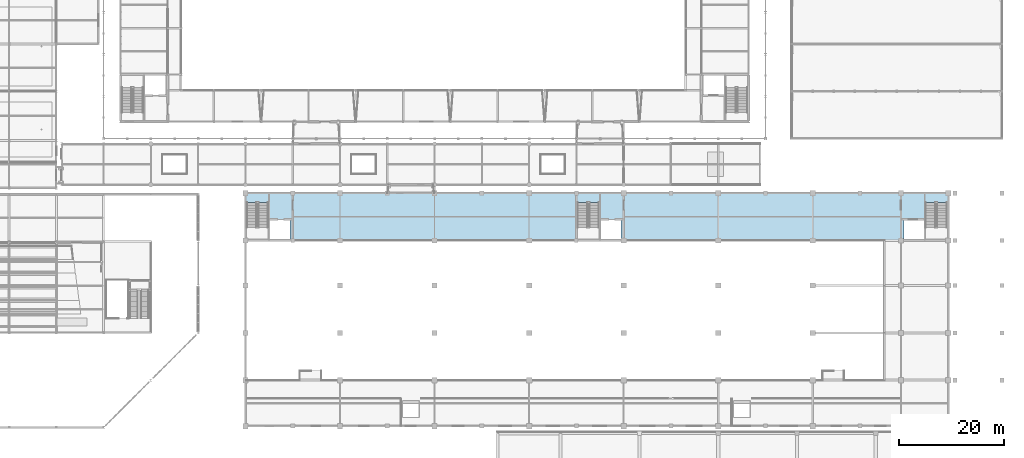
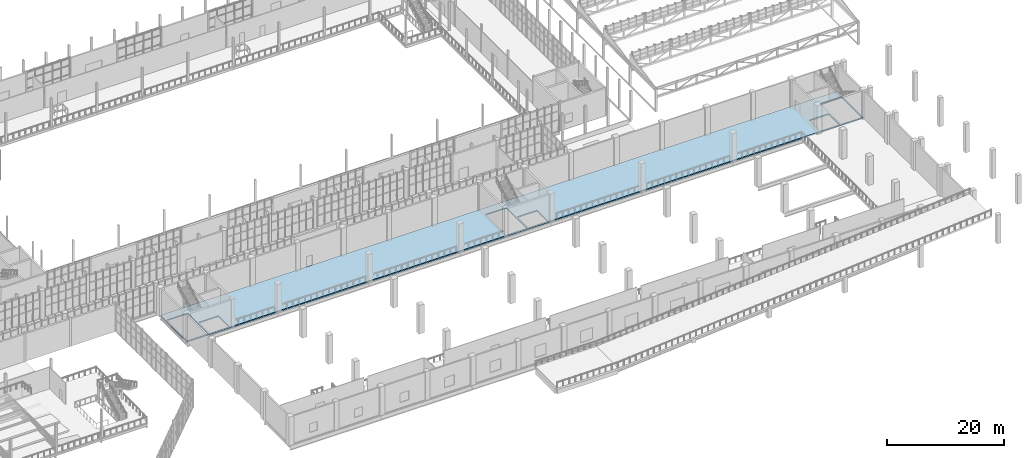
# One storey, part 110 of 159: 1 slab.
"""IFC4 building model written with IfcOpenShell, lengths in metres."""

from ifc_helpers import new_model, si_unit, direction, frame, origin, place, context, subcontext, project, spatial, polyline, outline, extrude, material, layer, layer_set, type_object, element, save


model = new_model("IFC4")

# Units and contexts
model_context = context("Model", 3, precision=1e-05, world=origin(), true_north=direction((0.0, 1.0)))
body_context = subcontext(model_context, "Body", "Model", "MODEL_VIEW")
ifc_project = project(units=[si_unit("LENGTHUNIT", "METRE"), si_unit("AREAUNIT", "SQUARE_METRE"), si_unit("VOLUMEUNIT", "CUBIC_METRE"), si_unit("PLANEANGLEUNIT", "RADIAN"), si_unit("MASSUNIT", "GRAM", prefix="KILO")], contexts=[model_context])

# Site, building, storey
site_placement = place(None, origin())
site = spatial("IfcSite", under=ifc_project, at=site_placement, CompositionType="ELEMENT")
building_placement = place(site_placement, origin())
building = spatial("IfcBuilding", under=site, at=building_placement, Name="Cazmaro Siding Exhibition Halls", CompositionType="ELEMENT")
storey_placement = place(building_placement, frame((0.0, 0.0, 6.0)))
storey = spatial("IfcBuildingStorey", under=building, at=storey_placement, Name="L01", CompositionType="ELEMENT", Elevation=6.0)

# Slab
ifc_material = material(Name="Concrete f'c 35 MPa", Category="concrete")
ifc_layer = layer(ifc_material, 0.239990234375)
ifc_layer_set = layer_set([ifc_layer], Name="Concrete f'c 35 MPa")
slab_type = type_object("IfcSlabType", Name="FS-05", PredefinedType="FLOOR", material=ifc_layer_set)
slab_placement = place(storey_placement, frame((0.0, 0.0, -0.239990234375)))
element("IfcSlab", 1, at=slab_placement, inside=storey, type_object=slab_type, Name="Hall B1 North Mezzanine Overlook Gallery L01 FS-05 SLB-0016", PredefinedType="FLOOR", context=body_context, shape_type="SweptSolid", body=[
    extrude(outline(polyline([(72.0, 44.60009765625), (205.800048828125, 44.60009765625), (205.800048828125, 53.60009765625), (72.0, 53.60009765625), (72.0, 44.60009765625)]), holes=[polyline([(72.179931640625, 44.780029296875), (76.375, 44.780029296875), (76.375, 51.820068359375), (72.179931640625, 51.820068359375), (72.179931640625, 44.780029296875)]), polyline([(76.625, 44.780029296875), (80.47998046875, 44.780029296875), (80.47998046875, 48.47998046875), (76.625, 48.47998046875), (76.625, 44.780029296875)]), polyline([(135.179931640625, 44.780029296875), (139.375, 44.780029296875), (139.375, 51.820068359375), (135.179931640625, 51.820068359375), (135.179931640625, 44.780029296875)]), polyline([(139.625, 44.780029296875), (143.47998046875, 44.780029296875), (143.47998046875, 48.47998046875), (139.625, 48.47998046875), (139.625, 44.780029296875)]), polyline([(201.425048828125, 44.780029296875), (205.6201171875, 44.780029296875), (205.6201171875, 51.820068359375), (201.425048828125, 51.820068359375), (201.425048828125, 44.780029296875)]), polyline([(197.320068359375, 44.780029296875), (201.175048828125, 44.780029296875), (201.175048828125, 48.47998046875), (197.320068359375, 48.47998046875), (197.320068359375, 44.780029296875)])]), origin(), (0.0, 0.0, 1.0), 0.239990234375),
])

save(model, "model.ifc")
